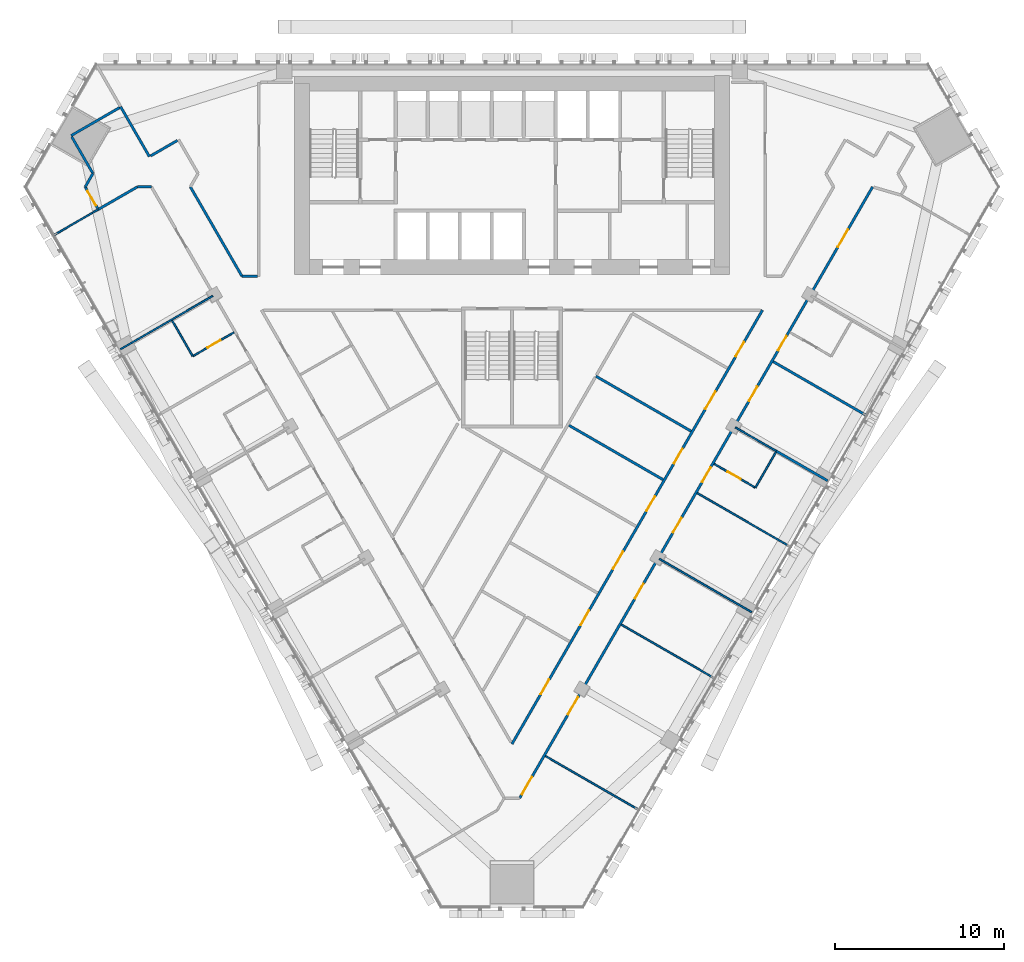
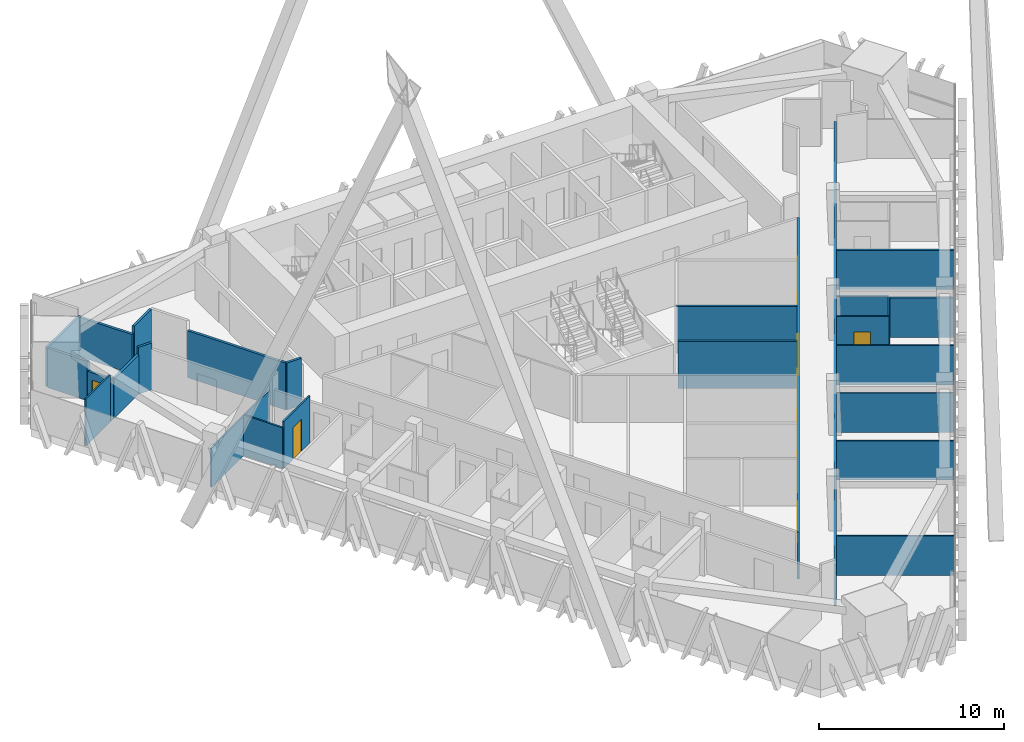
# One storey, part 17 of 23: 28 walls, 18 doors, 18 openings.
"""IFC4 building model written with IfcOpenShell, lengths in metres."""

from ifc_helpers import new_model, si_unit, direction, frame, frame_2d, origin, place, context, subcontext, project, spatial, rectangle, extrude, material, layer, layer_set, type_object, element, fill, save


model = new_model("IFC4")

# Units and contexts
model_context = context("Model", 3, precision=1e-05, world=origin(), true_north=direction((0.0, 1.0)))
body_context = subcontext(model_context, "Body", "Model", "MODEL_VIEW")
ifc_project = project(units=[si_unit("LENGTHUNIT", "METRE"), si_unit("AREAUNIT", "SQUARE_METRE"), si_unit("VOLUMEUNIT", "CUBIC_METRE"), si_unit("PLANEANGLEUNIT", "RADIAN"), si_unit("MASSUNIT", "GRAM", prefix="KILO")], contexts=[model_context])

# Site, building, storey
site_placement = place(None, origin())
site = spatial("IfcSite", under=ifc_project, at=site_placement, CompositionType="ELEMENT")
building_placement = place(site_placement, origin())
building = spatial("IfcBuilding", under=site, at=building_placement, Name="Altiplano Prism Tower", CompositionType="ELEMENT")
storey_placement = place(building_placement, frame((0.0, 0.0, 100.800048828125)))
storey = spatial("IfcBuildingStorey", under=building, at=storey_placement, Name="L25", CompositionType="ELEMENT", Elevation=100.800048828125)

# Wall, opening, door
ifc_material_1 = material(Name="Plasterboard on steel stud", Category="steel")
ifc_layer_1 = layer(ifc_material_1, 0.10009765625)
ifc_layer_set_1 = layer_set([ifc_layer_1], Name="Plasterboard on steel stud")
wall_type_1 = type_object("IfcWallType", Name="Partition 100 unit", PredefinedType="PARTITIONING", material=ifc_layer_set_1)
wall_1_placement = place(storey_placement, frame((68.517578125, 89.078857421875, 0.0), z_axis=(0.0, 0.0, 1.0), x_axis=(-0.866048868473, -0.499959355765, 0.0)))
wall_1 = element("IfcWall", 1, at=wall_1_placement, inside=storey, type_object=wall_type_1, Name="Partition P02 L25 048", PredefinedType="PARTITIONING", context=body_context, shape_type="SweptSolid", body=[
    extrude(rectangle(XDim=2.824951171875, YDim=0.10009765625, at=frame_2d((1.41259765625, 0.0))), origin(), (0.0, 0.0, 1.0), 3.099853515625),
])
opening_1_placement = place(wall_1_placement, frame((0.925048828125, 0.0, 0.0)))
opening_1 = element("IfcOpeningElement", 2, at=opening_1_placement, cuts=wall_1, Name="Opening D0916", PredefinedType="OPENING", context=body_context, shape_type="SweptSolid", body=[
    extrude(rectangle(XDim=0.89990234375, YDim=2.10009765625, at=frame_2d((0.449951171875, 1.050048828125))), frame((0.0, 0.060546875, 0.0), z_axis=(0.0, -1.0, 0.0), x_axis=(1.0, 0.0, 0.0)), (0.0, 0.0, 1.0), 0.12109375),
])
ifc_material_2 = material(Name="Timber", Category="wood")
door_type_1 = type_object("IfcDoorType", Name="Ensuite door 900 x 2100", OperationType="NOTDEFINED", PredefinedType="NOTDEFINED", material=ifc_material_2)
door_1_placement = place(opening_1_placement, origin())
door_1 = element("IfcDoor", 3, at=door_1_placement, inside=storey, type_object=door_type_1, Name="Door D0916", OperationType="SINGLE_SWING_LEFT", OverallHeight=2.10009765625, OverallWidth=0.89990234375, PredefinedType="NOTDEFINED", context=body_context, shape_type="SweptSolid", body=[
    extrude(rectangle(XDim=0.89990234375, YDim=2.10009765625, at=frame_2d((0.449951171875, 1.050048828125))), frame((0.0, 0.02490234375, 0.0), z_axis=(0.0, -1.0, 0.0), x_axis=(1.0, 0.0, 0.0)), (0.0, 0.0, 1.0), 0.050048828125),
])
fill(opening_1, door_1)

# Walls
wall_2_placement = place(storey_placement, frame((66.071044921875, 87.66650390625, 0.0), z_axis=(0.0, 0.0, 1.0), x_axis=(-0.500018594424, 0.866014668023, 0.0)))
element("IfcWall", 4, at=wall_2_placement, inside=storey, type_object=wall_type_1, Name="Partition P02 L25 049", PredefinedType="PARTITIONING", context=body_context, shape_type="SweptSolid", body=[
    extrude(rectangle(XDim=2.4501953125, YDim=0.10009765625, at=frame_2d((1.22509765625, 0.0))), origin(), (0.0, 0.0, 1.0), 2.699951171875),
])
wall_3_placement = place(storey_placement, frame((100.6416015625, 81.972412109375, 0.0), z_axis=(0.0, 0.0, 1.0), x_axis=(-0.500047793048, -0.865997808697, 0.0)))
element("IfcWall", 5, at=wall_3_placement, inside=storey, type_object=wall_type_1, Name="Partition P02 L25 071", PredefinedType="PARTITIONING", context=body_context, shape_type="SweptSolid", body=[
    extrude(rectangle(XDim=2.425048828125, YDim=0.10009765625, at=frame_2d((1.21240234375, 0.0))), origin(), (0.0, 0.0, 1.0), 2.699951171875),
])

# Wall, opening, door
wall_4_placement = place(storey_placement, frame((99.428955078125, 79.872314453125, 0.0), z_axis=(0.0, 0.0, 1.0), x_axis=(-0.866048868473, 0.499959355765, 0.0)))
wall_4 = element("IfcWall", 6, at=wall_4_placement, inside=storey, type_object=wall_type_1, Name="Partition P02 L25 072", PredefinedType="PARTITIONING", context=body_context, shape_type="SweptSolid", body=[
    extrude(rectangle(XDim=2.824951171875, YDim=0.10009765625, at=frame_2d((1.41259765625, 0.0))), origin(), (0.0, 0.0, 1.0), 3.099853515625),
])
opening_2_placement = place(wall_4_placement, frame((1.0, 0.0, 0.0)))
opening_2 = element("IfcOpeningElement", 7, at=opening_2_placement, cuts=wall_4, Name="Opening D0932", PredefinedType="OPENING", context=body_context, shape_type="SweptSolid", body=[
    extrude(rectangle(XDim=0.89990234375, YDim=2.10009765625, at=frame_2d((0.449951171875, 1.050048828125))), frame((0.0, 0.060546875, 0.0), z_axis=(0.0, -1.0, 0.0), x_axis=(1.0, 0.0, 0.0)), (0.0, 0.0, 1.0), 0.12109375),
])
door_2_placement = place(opening_2_placement, origin())
door_2 = element("IfcDoor", 8, at=door_2_placement, inside=storey, type_object=door_type_1, Name="Door D0932", OperationType="SINGLE_SWING_RIGHT", OverallHeight=2.10009765625, OverallWidth=0.89990234375, PredefinedType="NOTDEFINED", context=body_context, shape_type="SweptSolid", body=[
    extrude(rectangle(XDim=0.89990234375, YDim=2.10009765625, at=frame_2d((0.449951171875, 1.050048828125))), frame((0.0, 0.02490234375, 0.0), z_axis=(0.0, -1.0, 0.0), x_axis=(1.0, 0.0, 0.0)), (0.0, 0.0, 1.0), 0.050048828125),
])
fill(opening_2, door_2)

# Walls
ifc_layer_2 = layer(ifc_material_1, 0.10009765625)
ifc_layer_set_2 = layer_set([ifc_layer_2], Name="Plasterboard on steel stud")
wall_type_2 = type_object("IfcWallType", Name="Partition 100 wet", PredefinedType="PARTITIONING", material=ifc_layer_set_2)
wall_5_placement = place(storey_placement, frame((57.8544921875, 94.857421875, 0.0), z_axis=(0.0, 0.0, 1.0), x_axis=(0.866068011996, 0.49992619315, 0.0)))
element("IfcWall", 9, at=wall_5_placement, inside=storey, type_object=wall_type_2, Name="Partition P03 L25 044", PredefinedType="PARTITIONING", context=body_context, shape_type="SweptSolid", body=[
    extrude(rectangle(XDim=2.6279296875, YDim=0.10009765625, at=frame_2d((1.31396484375, 0.0))), origin(), (0.0, 0.0, 1.0), 3.099853515625),
])
wall_6_placement = place(storey_placement, frame((60.13037109375, 96.171142578125, 0.0), z_axis=(0.0, 0.0, 1.0), x_axis=(0.865790956991, 0.500405854075, 0.0)))
element("IfcWall", 10, at=wall_6_placement, inside=storey, type_object=wall_type_2, Name="Partition P03 L25 045", PredefinedType="PARTITIONING", context=body_context, shape_type="SweptSolid", body=[
    extrude(rectangle(XDim=0.412353515625, YDim=0.10009765625, at=frame_2d((0.2060546875, 0.0))), origin(), (0.0, 0.0, 1.0), 2.599853515625),
])
wall_7_placement = place(storey_placement, frame((61.789794921875, 88.08154296875, 0.0), z_axis=(0.0, 0.0, 1.0), x_axis=(0.866015887322, 0.500016482634, 0.0)))
element("IfcWall", 11, at=wall_7_placement, inside=storey, type_object=wall_type_2, Name="Partition P03 L25 047", PredefinedType="PARTITIONING", context=body_context, shape_type="SweptSolid", body=[
    extrude(rectangle(XDim=6.324951171875, YDim=0.10009765625, at=frame_2d((3.16259765625, 0.0))), origin(), (0.0, 0.0, 1.0), 2.599853515625),
])
for number, where, z_axis, x_axis, name in (
    (12, (92.4775390625, 60.791748046875, 0.0), (0.0, 0.0, 1.0), (-0.866025401434, 0.500000004071, 0.0), "Partition P03 L25 067"),
    (13, (96.9775390625, 68.5859375, 0.0), (0.0, 0.0, 1.0), (-0.866025401434, 0.500000004071, 0.0), "Partition P03 L25 068"),
):
    element("IfcWall", number, at=place(storey_placement, frame(where, z_axis=z_axis, x_axis=x_axis)), inside=storey, type_object=wall_type_2, Name=name, PredefinedType="PARTITIONING", context=body_context, shape_type="SweptSolid", body=[
        extrude(rectangle(XDim=6.34521484375, YDim=0.10009765625, at=frame_2d((3.172607421875, 0.0))), origin(), (0.0, 0.0, 1.0), 2.599853515625),
    ])
wall_8_placement = place(storey_placement, frame((99.210205078125, 72.4931640625, 0.0), z_axis=(0.0, 0.0, 1.0), x_axis=(-0.866042250622, 0.499970819286, 0.0)))
element("IfcWall", 14, at=wall_8_placement, inside=storey, type_object=wall_type_2, Name="Partition P03 L25 069", PredefinedType="PARTITIONING", context=body_context, shape_type="SweptSolid", body=[
    extrude(rectangle(XDim=6.3251953125, YDim=0.10009765625, at=frame_2d((3.16259765625, 0.0))), origin(), (0.0, 0.0, 1.0), 2.599853515625),
])
wall_9_placement = place(storey_placement, frame((101.4775390625, 76.380126953125, 0.0), z_axis=(0.0, 0.0, 1.0), x_axis=(-0.866025401434, 0.500000004071, 0.0)))
element("IfcWall", 15, at=wall_9_placement, inside=storey, type_object=wall_type_2, Name="Partition P03 L25 070", PredefinedType="PARTITIONING", context=body_context, shape_type="SweptSolid", body=[
    extrude(rectangle(XDim=6.34521484375, YDim=0.10009765625, at=frame_2d((3.172607421875, 0.0))), origin(), (0.0, 0.0, 1.0), 2.599853515625),
])
wall_10_placement = place(storey_placement, frame((100.66162109375, 82.04736328125, 0.0), z_axis=(0.0, 0.0, 1.0), x_axis=(-0.866049342339, 0.499958534914, 0.0)))
element("IfcWall", 16, at=wall_10_placement, inside=storey, type_object=wall_type_2, Name="Partition P03 L25 074", PredefinedType="PARTITIONING", context=body_context, shape_type="SweptSolid", body=[
    extrude(rectangle(XDim=2.804931640625, YDim=0.10009765625, at=frame_2d((1.40234375, 0.0))), origin(), (0.0, 0.0, 1.0), 2.699951171875),
])
ifc_layer_3 = layer(ifc_material_1, 0.14990234375)
ifc_layer_set_3 = layer_set([ifc_layer_3], Name="Plasterboard on steel stud")
wall_type_3 = type_object("IfcWallType", Name="Partition 150 corridor", PredefinedType="PARTITIONING", material=ifc_layer_set_3)
wall_11_placement = place(storey_placement, frame((61.739013671875, 102.406982421875, 0.0), z_axis=(0.0, 0.0, 1.0), x_axis=(-0.866002163101, -0.500040251884, 0.0)))
element("IfcWall", 17, at=wall_11_placement, inside=storey, type_object=wall_type_3, Name="Partition P06 L25 004", PredefinedType="PARTITIONING", context=body_context, shape_type="SweptSolid", body=[
    extrude(rectangle(XDim=3.324951171875, YDim=0.14990234375, at=frame_2d((1.66259765625, 0.0))), origin(), (0.0, 0.0, 1.0), 2.599853515625),
])
wall_12_placement = place(storey_placement, frame((58.89697265625, 100.679443359375, 0.0), z_axis=(0.0, 0.0, 1.0), x_axis=(0.500072327845, -0.865983641256, 0.0)))
element("IfcWall", 18, at=wall_12_placement, inside=storey, type_object=wall_type_3, Name="Partition P06 L25 005", PredefinedType="PARTITIONING", context=body_context, shape_type="SweptSolid", body=[
    extrude(rectangle(XDim=2.516845703125, YDim=0.14990234375, at=frame_2d((1.25830078125, 0.0))), origin(), (0.0, 0.0, 1.0), 2.599853515625),
])
wall_13_placement = place(storey_placement, frame((60.155517578125, 98.5, 0.0), z_axis=(0.0, 0.0, 1.0), x_axis=(-0.500206595639, -0.865906092876, 0.0)))
element("IfcWall", 19, at=wall_13_placement, inside=storey, type_object=wall_type_3, Name="Partition P06 L25 006", PredefinedType="PARTITIONING", context=body_context, shape_type="SweptSolid", body=[
    extrude(rectangle(XDim=0.91650390625, YDim=0.14990234375, at=frame_2d((0.458251953125, 0.0))), origin(), (0.0, 0.0, 1.0), 2.599853515625),
])

# Wall, opening, door
wall_14_placement = place(storey_placement, frame((59.697021484375, 97.706298828125, 0.0), z_axis=(0.0, 0.0, 1.0), x_axis=(0.500048082433, -0.865997641599, 0.0)))
wall_14 = element("IfcWall", 20, at=wall_14_placement, inside=storey, type_object=wall_type_3, Name="Partition P06 L25 007", PredefinedType="PARTITIONING", context=body_context, shape_type="SweptSolid", body=[
    extrude(rectangle(XDim=1.470947265625, YDim=0.14990234375, at=frame_2d((0.7353515625, 0.0))), origin(), (0.0, 0.0, 1.0), 2.599853515625),
])
opening_3_placement = place(wall_14_placement, frame((0.27099609375, 0.0, 0.0)))
opening_3 = element("IfcOpeningElement", 21, at=opening_3_placement, cuts=wall_14, Name="Opening D0913", PredefinedType="OPENING", context=body_context, shape_type="SweptSolid", body=[
    extrude(rectangle(XDim=1.0, YDim=2.10009765625, at=frame_2d((0.5, 1.050048828125))), frame((0.0, 0.08544921875, 0.0), z_axis=(0.0, -1.0, 0.0), x_axis=(1.0, 0.0, 0.0)), (0.0, 0.0, 1.0), 0.1708984375),
])
door_type_2 = type_object("IfcDoorType", Name="Room door 1000 x 2100", OperationType="NOTDEFINED", PredefinedType="NOTDEFINED", material=ifc_material_2)
door_3_placement = place(opening_3_placement, origin())
door_3 = element("IfcDoor", 22, at=door_3_placement, inside=storey, type_object=door_type_2, Name="Door D0913", OperationType="SINGLE_SWING_LEFT", OverallHeight=2.10009765625, OverallWidth=1.0, PredefinedType="NOTDEFINED", context=body_context, shape_type="SweptSolid", body=[
    extrude(rectangle(XDim=1.0, YDim=2.10009765625, at=frame_2d((0.5, 1.050048828125))), frame((0.0, 0.02490234375, 0.0), z_axis=(0.0, -1.0, 0.0), x_axis=(1.0, 0.0, 0.0)), (0.0, 0.0, 1.0), 0.050048828125),
])
fill(opening_3, door_3)

# Walls
wall_15_placement = place(storey_placement, frame((60.452880859375, 96.357421875, 0.0), z_axis=(0.0, 0.0, 1.0), x_axis=(0.866012264611, 0.500022757025, 0.0)))
element("IfcWall", 23, at=wall_15_placement, inside=storey, type_object=wall_type_3, Name="Partition P06 L25 008", PredefinedType="PARTITIONING", context=body_context, shape_type="SweptSolid", body=[
    extrude(rectangle(XDim=2.697509765625, YDim=0.14990234375, at=frame_2d((1.3486328125, 0.0))), origin(), (0.0, 0.0, 1.0), 2.599853515625),
])
wall_16_placement = place(storey_placement, frame((62.7890625, 97.706298828125, 0.0), z_axis=(0.0, 0.0, 1.0), x_axis=(1.0, 0.0, 0.0)))
element("IfcWall", 24, at=wall_16_placement, inside=storey, type_object=wall_type_3, Name="Partition P06 L25 009", PredefinedType="PARTITIONING", context=body_context, shape_type="SweptSolid", body=[
    extrude(rectangle(XDim=0.833984375, YDim=0.14990234375, at=frame_2d((0.4169921875, 0.0))), origin(), (0.0, 0.0, 1.0), 3.099853515625),
])

# Wall, openings, doors
wall_17_placement = place(storey_placement, frame((85.458251953125, 61.47412109375, 0.0), z_axis=(0.0, 0.0, 1.0), x_axis=(0.500000781663, 0.866024952491, 0.0)))
wall_17 = element("IfcWall", 25, at=wall_17_placement, inside=storey, type_object=wall_type_3, Name="Partition P06 L25 012", PredefinedType="PARTITIONING", context=body_context, shape_type="SweptSolid", body=[
    extrude(rectangle(XDim=41.83740234375, YDim=0.14990234375, at=frame_2d((20.918701171875, 0.0))), origin(), (0.0, 0.0, 1.0), 2.699951171875),
])
opening_4_placement = place(wall_17_placement, frame((0.2529296875, 0.0, 0.0)))
opening_4 = element("IfcOpeningElement", 26, at=opening_4_placement, cuts=wall_17, Name="Opening D0927", PredefinedType="OPENING", context=body_context, shape_type="SweptSolid", body=[
    extrude(rectangle(XDim=1.199951171875, YDim=2.10009765625, at=frame_2d((0.60009765625, 1.050048828125))), frame((0.0, 0.08544921875, 0.0), z_axis=(0.0, -1.0, 0.0), x_axis=(1.0, 0.0, 0.0)), (0.0, 0.0, 1.0), 0.1708984375),
])
opening_5_placement = place(wall_17_placement, frame((5.718994140625, 0.0, 0.0)))
opening_5 = element("IfcOpeningElement", 27, at=opening_5_placement, cuts=wall_17, Name="Opening D0928", PredefinedType="OPENING", context=body_context, shape_type="SweptSolid", body=[
    extrude(rectangle(XDim=1.199951171875, YDim=2.10009765625, at=frame_2d((0.60009765625, 1.050048828125))), frame((0.0, 0.08544921875, 0.0), z_axis=(0.0, -1.0, 0.0), x_axis=(1.0, 0.0, 0.0)), (0.0, 0.0, 1.0), 0.1708984375),
])
opening_6_placement = place(wall_17_placement, frame((13.6689453125, 0.0, 0.0)))
opening_6 = element("IfcOpeningElement", 28, at=opening_6_placement, cuts=wall_17, Name="Opening D0929", PredefinedType="OPENING", context=body_context, shape_type="SweptSolid", body=[
    extrude(rectangle(XDim=1.0, YDim=2.10009765625, at=frame_2d((0.5, 1.050048828125))), frame((0.0, 0.08544921875, 0.0), z_axis=(0.0, -1.0, 0.0), x_axis=(1.0, 0.0, 0.0)), (0.0, 0.0, 1.0), 0.1708984375),
])
opening_7_placement = place(wall_17_placement, frame((18.1689453125, 0.0, 0.0)))
opening_7 = element("IfcOpeningElement", 29, at=opening_7_placement, cuts=wall_17, Name="Opening D0930", PredefinedType="OPENING", context=body_context, shape_type="SweptSolid", body=[
    extrude(rectangle(XDim=1.0, YDim=2.10009765625, at=frame_2d((0.5, 1.050048828125))), frame((0.0, 0.08544921875, 0.0), z_axis=(0.0, -1.0, 0.0), x_axis=(1.0, 0.0, 0.0)), (0.0, 0.0, 1.0), 0.1708984375),
])
opening_8_placement = place(wall_17_placement, frame((21.638916015625, 0.0, 0.0)))
opening_8 = element("IfcOpeningElement", 30, at=opening_8_placement, cuts=wall_17, Name="Opening D0931", PredefinedType="OPENING", context=body_context, shape_type="SweptSolid", body=[
    extrude(rectangle(XDim=1.0, YDim=2.10009765625, at=frame_2d((0.5, 1.050048828125))), frame((0.0, 0.08544921875, 0.0), z_axis=(0.0, -1.0, 0.0), x_axis=(1.0, 0.0, 0.0)), (0.0, 0.0, 1.0), 0.1708984375),
])
opening_9_placement = place(wall_17_placement, frame((27.1689453125, 0.0, 0.0)))
opening_9 = element("IfcOpeningElement", 31, at=opening_9_placement, cuts=wall_17, Name="Opening D0933", PredefinedType="OPENING", context=body_context, shape_type="SweptSolid", body=[
    extrude(rectangle(XDim=1.0, YDim=2.10009765625, at=frame_2d((0.5, 1.050048828125))), frame((0.0, 0.08544921875, 0.0), z_axis=(0.0, -1.0, 0.0), x_axis=(1.0, 0.0, 0.0)), (0.0, 0.0, 1.0), 0.1708984375),
])
opening_10_placement = place(wall_17_placement, frame((30.638916015625, 0.0, 0.0)))
opening_10 = element("IfcOpeningElement", 32, at=opening_10_placement, cuts=wall_17, Name="Opening D0934", PredefinedType="OPENING", context=body_context, shape_type="SweptSolid", body=[
    extrude(rectangle(XDim=1.0, YDim=2.10009765625, at=frame_2d((0.5, 1.050048828125))), frame((0.0, 0.08544921875, 0.0), z_axis=(0.0, -1.0, 0.0), x_axis=(1.0, 0.0, 0.0)), (0.0, 0.0, 1.0), 0.1708984375),
])
opening_11_placement = place(wall_17_placement, frame((37.7099609375, 0.0, 0.0)))
opening_11 = element("IfcOpeningElement", 33, at=opening_11_placement, cuts=wall_17, Name="Opening D0936", PredefinedType="OPENING", context=body_context, shape_type="SweptSolid", body=[
    extrude(rectangle(XDim=1.199951171875, YDim=2.10009765625, at=frame_2d((0.60009765625, 1.050048828125))), frame((0.0, 0.08544921875, 0.0), z_axis=(0.0, -1.0, 0.0), x_axis=(1.0, 0.0, 0.0)), (0.0, 0.0, 1.0), 0.1708984375),
])
door_type_3 = type_object("IfcDoorType", Name="Bedroom entrance door 1000 x 2100", OperationType="NOTDEFINED", PredefinedType="NOTDEFINED", material=ifc_material_2)
door_4_placement = place(opening_8_placement, origin())
door_4 = element("IfcDoor", 34, at=door_4_placement, inside=storey, type_object=door_type_3, Name="Door D0931", OperationType="SINGLE_SWING_LEFT", OverallHeight=2.10009765625, OverallWidth=1.0, PredefinedType="NOTDEFINED", context=body_context, shape_type="SweptSolid", body=[
    extrude(rectangle(XDim=1.0, YDim=2.10009765625, at=frame_2d((0.5, 1.050048828125))), frame((0.0, 0.02490234375, 0.0), z_axis=(0.0, -1.0, 0.0), x_axis=(1.0, 0.0, 0.0)), (0.0, 0.0, 1.0), 0.050048828125),
])
fill(opening_8, door_4)
door_5_placement = place(opening_10_placement, origin())
door_5 = element("IfcDoor", 35, at=door_5_placement, inside=storey, type_object=door_type_3, Name="Door D0934", OperationType="SINGLE_SWING_LEFT", OverallHeight=2.10009765625, OverallWidth=1.0, PredefinedType="NOTDEFINED", context=body_context, shape_type="SweptSolid", body=[
    extrude(rectangle(XDim=1.0, YDim=2.10009765625, at=frame_2d((0.5, 1.050048828125))), frame((0.0, 0.02490234375, 0.0), z_axis=(0.0, -1.0, 0.0), x_axis=(1.0, 0.0, 0.0)), (0.0, 0.0, 1.0), 0.050048828125),
])
fill(opening_10, door_5)
door_6_placement = place(opening_6_placement, origin())
door_6 = element("IfcDoor", 36, at=door_6_placement, inside=storey, type_object=door_type_2, Name="Door D0929", OperationType="SINGLE_SWING_RIGHT", OverallHeight=2.10009765625, OverallWidth=1.0, PredefinedType="NOTDEFINED", context=body_context, shape_type="SweptSolid", body=[
    extrude(rectangle(XDim=1.0, YDim=2.10009765625, at=frame_2d((0.5, 1.050048828125))), frame((0.0, 0.02490234375, 0.0), z_axis=(0.0, -1.0, 0.0), x_axis=(1.0, 0.0, 0.0)), (0.0, 0.0, 1.0), 0.050048828125),
])
fill(opening_6, door_6)
door_7_placement = place(opening_7_placement, origin())
door_7 = element("IfcDoor", 37, at=door_7_placement, inside=storey, type_object=door_type_2, Name="Door D0930", OperationType="SINGLE_SWING_LEFT", OverallHeight=2.10009765625, OverallWidth=1.0, PredefinedType="NOTDEFINED", context=body_context, shape_type="SweptSolid", body=[
    extrude(rectangle(XDim=1.0, YDim=2.10009765625, at=frame_2d((0.5, 1.050048828125))), frame((0.0, 0.02490234375, 0.0), z_axis=(0.0, -1.0, 0.0), x_axis=(1.0, 0.0, 0.0)), (0.0, 0.0, 1.0), 0.050048828125),
])
fill(opening_7, door_7)
door_8_placement = place(opening_9_placement, origin())
door_8 = element("IfcDoor", 38, at=door_8_placement, inside=storey, type_object=door_type_2, Name="Door D0933", OperationType="SINGLE_SWING_LEFT", OverallHeight=2.10009765625, OverallWidth=1.0, PredefinedType="NOTDEFINED", context=body_context, shape_type="SweptSolid", body=[
    extrude(rectangle(XDim=1.0, YDim=2.10009765625, at=frame_2d((0.5, 1.050048828125))), frame((0.0, 0.02490234375, 0.0), z_axis=(0.0, -1.0, 0.0), x_axis=(1.0, 0.0, 0.0)), (0.0, 0.0, 1.0), 0.050048828125),
])
fill(opening_9, door_8)
door_type_4 = type_object("IfcDoorType", Name="Shared room door 1200 x 2100", OperationType="NOTDEFINED", PredefinedType="NOTDEFINED", material=ifc_material_2)
door_9_placement = place(opening_4_placement, origin())
door_9 = element("IfcDoor", 39, at=door_9_placement, inside=storey, type_object=door_type_4, Name="Door D0927", OperationType="SINGLE_SWING_LEFT", OverallHeight=2.10009765625, OverallWidth=1.199951171875, PredefinedType="NOTDEFINED", context=body_context, shape_type="SweptSolid", body=[
    extrude(rectangle(XDim=1.199951171875, YDim=2.10009765625, at=frame_2d((0.60009765625, 1.050048828125))), frame((0.0, 0.02490234375, 0.0), z_axis=(0.0, -1.0, 0.0), x_axis=(1.0, 0.0, 0.0)), (0.0, 0.0, 1.0), 0.050048828125),
])
fill(opening_4, door_9)
door_10_placement = place(opening_5_placement, origin())
door_10 = element("IfcDoor", 40, at=door_10_placement, inside=storey, type_object=door_type_4, Name="Door D0928", OperationType="SINGLE_SWING_LEFT", OverallHeight=2.10009765625, OverallWidth=1.199951171875, PredefinedType="NOTDEFINED", context=body_context, shape_type="SweptSolid", body=[
    extrude(rectangle(XDim=1.199951171875, YDim=2.10009765625, at=frame_2d((0.60009765625, 1.050048828125))), frame((0.0, 0.02490234375, 0.0), z_axis=(0.0, -1.0, 0.0), x_axis=(1.0, 0.0, 0.0)), (0.0, 0.0, 1.0), 0.050048828125),
])
fill(opening_5, door_10)
door_11_placement = place(opening_11_placement, origin())
door_11 = element("IfcDoor", 41, at=door_11_placement, inside=storey, type_object=door_type_4, Name="Door D0936", OperationType="SINGLE_SWING_LEFT", OverallHeight=2.10009765625, OverallWidth=1.199951171875, PredefinedType="NOTDEFINED", context=body_context, shape_type="SweptSolid", body=[
    extrude(rectangle(XDim=1.199951171875, YDim=2.10009765625, at=frame_2d((0.60009765625, 1.050048828125))), frame((0.0, 0.02490234375, 0.0), z_axis=(0.0, -1.0, 0.0), x_axis=(1.0, 0.0, 0.0)), (0.0, 0.0, 1.0), 0.050048828125),
])
fill(opening_11, door_11)

# Walls
wall_18_placement = place(storey_placement, frame((69.925048828125, 92.39990234375, 0.0), z_axis=(0.0, 0.0, 1.0), x_axis=(-1.0, 0.0, 0.0)))
element("IfcWall", 42, at=wall_18_placement, inside=storey, type_object=wall_type_3, Name="Partition P06 L25 030", PredefinedType="PARTITIONING", context=body_context, shape_type="SweptSolid", body=[
    extrude(rectangle(XDim=0.928955078125, YDim=0.14990234375, at=frame_2d((0.46435546875, 0.0))), origin(), (0.0, 0.0, 1.0), 3.099853515625),
])
wall_19_placement = place(storey_placement, frame((68.99609375, 92.39990234375, 0.0), z_axis=(0.0, 0.0, 1.0), x_axis=(-0.499978838982, 0.866037620759, 0.0)))
element("IfcWall", 43, at=wall_19_placement, inside=storey, type_object=wall_type_3, Name="Partition P06 L25 031", PredefinedType="PARTITIONING", context=body_context, shape_type="SweptSolid", body=[
    extrude(rectangle(XDim=6.127197265625, YDim=0.14990234375, at=frame_2d((3.0634765625, 0.0))), origin(), (0.0, 0.0, 1.0), 3.099853515625),
])
wall_20_placement = place(storey_placement, frame((65.171142578125, 100.46240234375, 0.0), z_axis=(0.0, 0.0, 1.0), x_axis=(-0.866058118026, -0.49994333299, 0.0)))
element("IfcWall", 44, at=wall_20_placement, inside=storey, type_object=wall_type_3, Name="Partition P06 L25 034", PredefinedType="PARTITIONING", context=body_context, shape_type="SweptSolid", body=[
    extrude(rectangle(XDim=1.849853515625, YDim=0.14990234375, at=frame_2d((0.9248046875, 0.0))), origin(), (0.0, 0.0, 1.0), 3.099853515625),
])
wall_21_placement = place(storey_placement, frame((63.504150390625, 99.5, 0.0), z_axis=(0.0, 0.0, 1.0), x_axis=(-0.50003140069, 0.866007273829, 0.0)))
element("IfcWall", 45, at=wall_21_placement, inside=storey, type_object=wall_type_3, Name="Partition P06 L25 035", PredefinedType="PARTITIONING", context=body_context, shape_type="SweptSolid", body=[
    extrude(rectangle(XDim=3.420166015625, YDim=0.14990234375, at=frame_2d((1.7099609375, 0.0))), origin(), (0.0, 0.0, 1.0), 2.599853515625),
])

# Wall, openings, doors
wall_22_placement = place(storey_placement, frame((99.84912109375, 90.39990234375, 0.0), z_axis=(0.0, 0.0, 1.0), x_axis=(-0.499999267484, -0.866025826702, 0.0)))
wall_22 = element("IfcWall", 46, at=wall_22_placement, inside=storey, type_object=wall_type_3, Name="Partition P06 L25 036", PredefinedType="PARTITIONING", context=body_context, shape_type="SweptSolid", body=[
    extrude(rectangle(XDim=29.6982421875, YDim=0.14990234375, at=frame_2d((14.84912109375, 0.0))), origin(), (0.0, 0.0, 1.0), 3.099853515625),
])
opening_12_placement = place(wall_22_placement, frame((2.177978515625, 0.0, 0.0)))
opening_12 = element("IfcOpeningElement", 47, at=opening_12_placement, cuts=wall_22, Name="Opening D0912", PredefinedType="OPENING", context=body_context, shape_type="SweptSolid", body=[
    extrude(rectangle(XDim=1.0, YDim=2.10009765625, at=frame_2d((0.5, 1.050048828125))), frame((0.0, 0.08544921875, 0.0), z_axis=(0.0, -1.0, 0.0), x_axis=(1.0, 0.0, 0.0)), (0.0, 0.0, 1.0), 0.1708984375),
])
opening_13_placement = place(wall_22_placement, frame((5.576904296875, 0.0, 0.0)))
opening_13 = element("IfcOpeningElement", 48, at=opening_13_placement, cuts=wall_22, Name="Opening D0941", PredefinedType="OPENING", context=body_context, shape_type="SweptSolid", body=[
    extrude(rectangle(XDim=1.199951171875, YDim=2.10009765625, at=frame_2d((0.60009765625, 1.050048828125))), frame((0.0, 0.08544921875, 0.0), z_axis=(0.0, -1.0, 0.0), x_axis=(1.0, 0.0, 0.0)), (0.0, 0.0, 1.0), 0.1708984375),
])
opening_14_placement = place(wall_22_placement, frame((16.531005859375, 0.0, 0.0)))
opening_14 = element("IfcOpeningElement", 49, at=opening_14_placement, cuts=wall_22, Name="Opening D0942", PredefinedType="OPENING", context=body_context, shape_type="SweptSolid", body=[
    extrude(rectangle(XDim=1.199951171875, YDim=2.10009765625, at=frame_2d((0.60009765625, 1.050048828125))), frame((0.0, 0.08544921875, 0.0), z_axis=(0.0, -1.0, 0.0), x_axis=(1.0, 0.0, 0.0)), (0.0, 0.0, 1.0), 0.1708984375),
])
opening_15_placement = place(wall_22_placement, frame((9.490966796875, 0.0, 0.0)))
opening_15 = element("IfcOpeningElement", 50, at=opening_15_placement, cuts=wall_22, Name="Opening D0945", PredefinedType="OPENING", context=body_context, shape_type="SweptSolid", body=[
    extrude(rectangle(XDim=1.0, YDim=2.10009765625, at=frame_2d((0.5, 1.050048828125))), frame((0.0, 0.08544921875, 0.0), z_axis=(0.0, -1.0, 0.0), x_axis=(1.0, 0.0, 0.0)), (0.0, 0.0, 1.0), 0.1708984375),
])
opening_16_placement = place(wall_22_placement, frame((12.75, 0.0, 0.0)))
opening_16 = element("IfcOpeningElement", 51, at=opening_16_placement, cuts=wall_22, Name="Opening D0946", PredefinedType="OPENING", context=body_context, shape_type="SweptSolid", body=[
    extrude(rectangle(XDim=1.0, YDim=2.10009765625, at=frame_2d((0.5, 1.050048828125))), frame((0.0, 0.08544921875, 0.0), z_axis=(0.0, -1.0, 0.0), x_axis=(1.0, 0.0, 0.0)), (0.0, 0.0, 1.0), 0.1708984375),
])
opening_17_placement = place(wall_22_placement, frame((20.573974609375, 0.0, 0.0)))
opening_17 = element("IfcOpeningElement", 52, at=opening_17_placement, cuts=wall_22, Name="Opening D0947", PredefinedType="OPENING", context=body_context, shape_type="SweptSolid", body=[
    extrude(rectangle(XDim=1.0, YDim=2.10009765625, at=frame_2d((0.5, 1.050048828125))), frame((0.0, 0.08544921875, 0.0), z_axis=(0.0, -1.0, 0.0), x_axis=(1.0, 0.0, 0.0)), (0.0, 0.0, 1.0), 0.1708984375),
])
opening_18_placement = place(wall_22_placement, frame((25.2958984375, 0.0, 0.0)))
opening_18 = element("IfcOpeningElement", 53, at=opening_18_placement, cuts=wall_22, Name="Opening D0949", PredefinedType="OPENING", context=body_context, shape_type="SweptSolid", body=[
    extrude(rectangle(XDim=1.0, YDim=2.10009765625, at=frame_2d((0.5, 1.050048828125))), frame((0.0, 0.08544921875, 0.0), z_axis=(0.0, -1.0, 0.0), x_axis=(1.0, 0.0, 0.0)), (0.0, 0.0, 1.0), 0.1708984375),
])
door_12_placement = place(opening_16_placement, origin())
door_12 = element("IfcDoor", 54, at=door_12_placement, inside=storey, type_object=door_type_2, Name="Door D0946", OperationType="SINGLE_SWING_LEFT", OverallHeight=2.10009765625, OverallWidth=1.0, PredefinedType="NOTDEFINED", context=body_context, shape_type="SweptSolid", body=[
    extrude(rectangle(XDim=1.0, YDim=2.10009765625, at=frame_2d((0.5, 1.050048828125))), frame((0.0, 0.02490234375, 0.0), z_axis=(0.0, -1.0, 0.0), x_axis=(1.0, 0.0, 0.0)), (0.0, 0.0, 1.0), 0.050048828125),
])
fill(opening_16, door_12)
door_13_placement = place(opening_17_placement, origin())
door_13 = element("IfcDoor", 55, at=door_13_placement, inside=storey, type_object=door_type_2, Name="Door D0947", OperationType="SINGLE_SWING_RIGHT", OverallHeight=2.10009765625, OverallWidth=1.0, PredefinedType="NOTDEFINED", context=body_context, shape_type="SweptSolid", body=[
    extrude(rectangle(XDim=1.0, YDim=2.10009765625, at=frame_2d((0.5, 1.050048828125))), frame((0.0, 0.02490234375, 0.0), z_axis=(0.0, -1.0, 0.0), x_axis=(1.0, 0.0, 0.0)), (0.0, 0.0, 1.0), 0.050048828125),
])
fill(opening_17, door_13)
door_14_placement = place(opening_18_placement, origin())
door_14 = element("IfcDoor", 56, at=door_14_placement, inside=storey, type_object=door_type_2, Name="Door D0949", OperationType="SINGLE_SWING_LEFT", OverallHeight=2.10009765625, OverallWidth=1.0, PredefinedType="NOTDEFINED", context=body_context, shape_type="SweptSolid", body=[
    extrude(rectangle(XDim=1.0, YDim=2.10009765625, at=frame_2d((0.5, 1.050048828125))), frame((0.0, 0.02490234375, 0.0), z_axis=(0.0, -1.0, 0.0), x_axis=(1.0, 0.0, 0.0)), (0.0, 0.0, 1.0), 0.050048828125),
])
fill(opening_18, door_14)
door_15_placement = place(opening_13_placement, origin())
door_15 = element("IfcDoor", 57, at=door_15_placement, inside=storey, type_object=door_type_4, Name="Door D0941", OperationType="SINGLE_SWING_LEFT", OverallHeight=2.10009765625, OverallWidth=1.199951171875, PredefinedType="NOTDEFINED", context=body_context, shape_type="SweptSolid", body=[
    extrude(rectangle(XDim=1.199951171875, YDim=2.10009765625, at=frame_2d((0.60009765625, 1.050048828125))), frame((0.0, 0.02490234375, 0.0), z_axis=(0.0, -1.0, 0.0), x_axis=(1.0, 0.0, 0.0)), (0.0, 0.0, 1.0), 0.050048828125),
])
fill(opening_13, door_15)
door_16_placement = place(opening_14_placement, origin())
door_16 = element("IfcDoor", 58, at=door_16_placement, inside=storey, type_object=door_type_4, Name="Door D0942", OperationType="SINGLE_SWING_RIGHT", OverallHeight=2.10009765625, OverallWidth=1.199951171875, PredefinedType="NOTDEFINED", context=body_context, shape_type="SweptSolid", body=[
    extrude(rectangle(XDim=1.199951171875, YDim=2.10009765625, at=frame_2d((0.60009765625, 1.050048828125))), frame((0.0, 0.02490234375, 0.0), z_axis=(0.0, -1.0, 0.0), x_axis=(1.0, 0.0, 0.0)), (0.0, 0.0, 1.0), 0.050048828125),
])
fill(opening_14, door_16)
door_type_5 = type_object("IfcDoorType", Name="Store door 1000 x 2100", OperationType="NOTDEFINED", PredefinedType="NOTDEFINED", material=ifc_material_2)
door_17_placement = place(opening_12_placement, origin())
door_17 = element("IfcDoor", 59, at=door_17_placement, inside=storey, type_object=door_type_5, Name="Door D0912", OperationType="SINGLE_SWING_LEFT", OverallHeight=2.10009765625, OverallWidth=1.0, PredefinedType="NOTDEFINED", context=body_context, shape_type="SweptSolid", body=[
    extrude(rectangle(XDim=1.0, YDim=2.10009765625, at=frame_2d((0.5, 1.050048828125))), frame((0.0, 0.02490234375, 0.0), z_axis=(0.0, -1.0, 0.0), x_axis=(1.0, 0.0, 0.0)), (0.0, 0.0, 1.0), 0.050048828125),
])
fill(opening_12, door_17)
door_18_placement = place(opening_15_placement, origin())
door_18 = element("IfcDoor", 60, at=door_18_placement, inside=storey, type_object=door_type_5, Name="Door D0945", OperationType="SINGLE_SWING_RIGHT", OverallHeight=2.10009765625, OverallWidth=1.0, PredefinedType="NOTDEFINED", context=body_context, shape_type="SweptSolid", body=[
    extrude(rectangle(XDim=1.0, YDim=2.10009765625, at=frame_2d((0.5, 1.050048828125))), frame((0.0, 0.02490234375, 0.0), z_axis=(0.0, -1.0, 0.0), x_axis=(1.0, 0.0, 0.0)), (0.0, 0.0, 1.0), 0.050048828125),
])
fill(opening_15, door_18)

# Walls
ifc_layer_4 = layer(ifc_material_1, 0.14990234375)
ifc_layer_set_4 = layer_set([ifc_layer_4], Name="Plasterboard on steel stud")
wall_type_4 = type_object("IfcWallType", Name="Partition 150 party", PredefinedType="PARTITIONING", material=ifc_layer_set_4)
wall_23_placement = place(storey_placement, frame((103.710205078125, 80.287353515625, 0.0), z_axis=(0.0, 0.0, 1.0), x_axis=(-0.866036599697, 0.499980607609, 0.0)))
element("IfcWall", 61, at=wall_23_placement, inside=storey, type_object=wall_type_4, Name="Partition P01 L25 073", PredefinedType="PARTITIONING", context=body_context, shape_type="SweptSolid", body=[
    extrude(rectangle(XDim=3.520263671875, YDim=0.14990234375, at=frame_2d((1.76025390625, 0.0))), origin(), (0.0, 0.0, 1.0), 2.599853515625),
])
wall_24_placement = place(storey_placement, frame((105.9775390625, 84.17431640625, 0.0), z_axis=(0.0, 0.0, 1.0), x_axis=(-0.866025401434, 0.500000004071, 0.0)))
element("IfcWall", 62, at=wall_24_placement, inside=storey, type_object=wall_type_4, Name="Partition P01 L25 075", PredefinedType="PARTITIONING", context=body_context, shape_type="SweptSolid", body=[
    extrude(rectangle(XDim=6.34521484375, YDim=0.14990234375, at=frame_2d((3.172607421875, 0.0))), origin(), (0.0, 0.0, 1.0), 2.599853515625),
])
wall_25_placement = place(storey_placement, frame((89.972412109375, 86.483154296875, 0.0), z_axis=(0.0, 0.0, 1.0), x_axis=(0.866024706996, -0.500001206871, 0.0)))
element("IfcWall", 63, at=wall_25_placement, inside=storey, type_object=wall_type_4, Name="Partition P01 L25 085", PredefinedType="PARTITIONING", context=body_context, shape_type="SweptSolid", body=[
    extrude(rectangle(XDim=6.52001953125, YDim=0.14990234375, at=frame_2d((3.260009765625, 0.0))), origin(), (0.0, 0.0, 1.0), 3.099853515625),
])
wall_26_placement = place(storey_placement, frame((88.376953125, 83.56982421875, 0.0), z_axis=(0.0, 0.0, 1.0), x_axis=(0.866015264425, -0.500017561474, 0.0)))
element("IfcWall", 64, at=wall_26_placement, inside=storey, type_object=wall_type_4, Name="Partition P01 L25 089", PredefinedType="PARTITIONING", context=body_context, shape_type="SweptSolid", body=[
    extrude(rectangle(XDim=6.445068359375, YDim=0.14990234375, at=frame_2d((3.22265625, 0.0))), origin(), (0.0, 0.0, 1.0), 3.099853515625),
])

save(model, "model.ifc")
